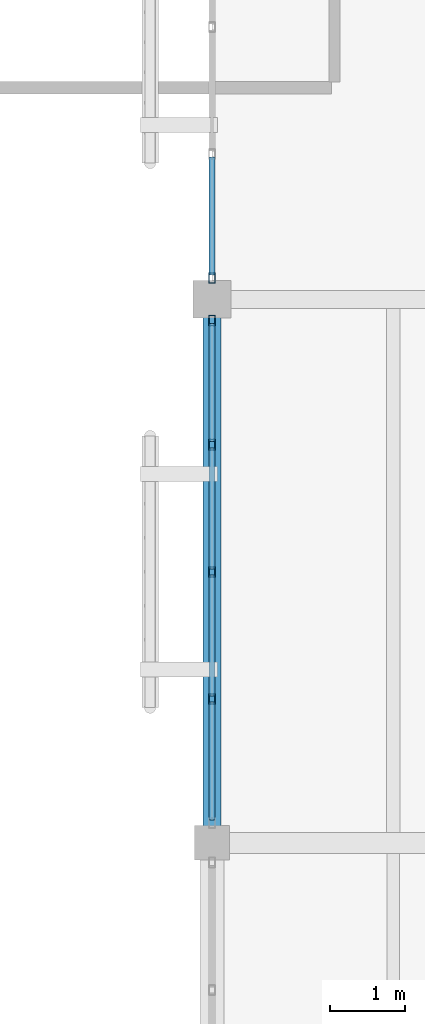
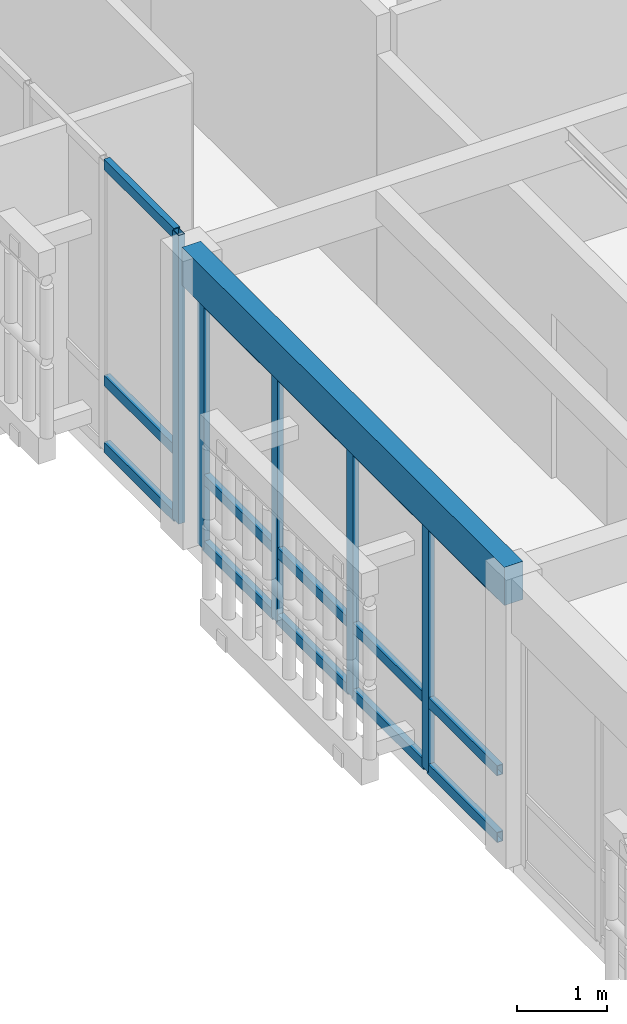
# One storey, part 24 of 61: 20 members, 1 beam, 2 elements without a shape of their own.
"""IFC4 building model written with IfcOpenShell, lengths in metres."""

from ifc_helpers import new_model, si_unit, direction, frame, origin, origin_2d, place, context, subcontext, project, spatial, rectangle, hollow_rectangle, extrude, material, layer, layer_set, material_profile, profile_set, type_object, element, aggregate, save


model = new_model("IFC4")

# Units and contexts
model_context = context("Model", 3, precision=1e-05, world=origin(), true_north=direction((0.0, 1.0)))
body_context = subcontext(model_context, "Body", "Model", "MODEL_VIEW")
ifc_project = project(units=[si_unit("LENGTHUNIT", "METRE"), si_unit("AREAUNIT", "SQUARE_METRE"), si_unit("VOLUMEUNIT", "CUBIC_METRE"), si_unit("PLANEANGLEUNIT", "RADIAN"), si_unit("MASSUNIT", "GRAM", prefix="KILO")], contexts=[model_context])

# Site, building, storey
site_placement = place(None, origin())
site = spatial("IfcSite", under=ifc_project, at=site_placement, CompositionType="ELEMENT")
building_placement = place(site_placement, origin())
building = spatial("IfcBuilding", under=site, at=building_placement, Name="Mazaris Harbour Polytechnic", CompositionType="ELEMENT")
storey_placement = place(building_placement, frame((0.0, 0.0, 18.0)))
storey = spatial("IfcBuildingStorey", under=building, at=storey_placement, Name="L04", CompositionType="ELEMENT", Elevation=18.0)

# Curtain wall, members
ifc_material_1 = material(Name="Anodised Bronze Aluminium and Low-E Glass", Category="aluminium")
ifc_layer = layer(ifc_material_1, 0.159912109375, Name="Anodised Bronze Aluminium and Low-E Glass")
ifc_layer_set = layer_set([ifc_layer], Name="Anodised Bronze Aluminium and Low-E Glass")
curtain_wall_type = type_object("IfcCurtainWallType", Name="Cloister Court Curtain Wall", PredefinedType="NOTDEFINED", material=ifc_layer_set)
curtain_wall_1_placement = place(storey_placement, origin())
curtain_wall_1 = element("IfcCurtainWall", 1, at=curtain_wall_1_placement, inside=storey, type_object=curtain_wall_type, Name="V4 L04 Curtain Wall 177", PredefinedType="NOTDEFINED")
ifc_material_2 = material(Name="Anodised Bronze Steel S355", Category="steel")
ifc_material_profile_1 = material_profile(ifc_material_2, hollow_rectangle(XDim=0.080078125, YDim=0.139892578125, WallThickness=0.00634765625, at=origin_2d()), Name="RHS 80x140x6.3")
ifc_profile_set_1 = profile_set([ifc_material_profile_1], Name="Anodised Bronze Steel S355")
member_type_1 = type_object("IfcMemberType", Name="Curtain Mullion RHS80x140", PredefinedType="MULLION", material=ifc_profile_set_1)
member_1_placement = place(storey_placement, frame((28.800048828125, 60.91796875, 0.0), z_axis=(0.0, 0.0, 1.0), x_axis=(1.0, 0.0, 0.0)))
member_1 = element("IfcMember", 2, at=member_1_placement, type_object=member_type_1, Name="CW-02 mullion 1", PredefinedType="MULLION", context=body_context, shape_type="SweptSolid", body=[
    extrude(hollow_rectangle(XDim=0.080078125, YDim=0.139892578125, WallThickness=0.00634765625, at=origin_2d()), origin(), (0.0, 0.0, 1.0), 3.405029296875),
])
member_2_placement = place(storey_placement, frame((28.800048828125, 59.27392578125, 0.0), z_axis=(0.0, 0.0, 1.0), x_axis=(1.0, 0.0, 0.0)))
member_2 = element("IfcMember", 3, at=member_2_placement, type_object=member_type_1, Name="CW-02 mullion 2", PredefinedType="MULLION", context=body_context, shape_type="SweptSolid", body=[
    extrude(hollow_rectangle(XDim=0.080078125, YDim=0.139892578125, WallThickness=0.00634765625, at=origin_2d()), origin(), (0.0, 0.0, 1.0), 3.405029296875),
])
member_3_placement = place(storey_placement, frame((28.800048828125, 57.590087890625, 0.0), z_axis=(0.0, 0.0, 1.0), x_axis=(1.0, 0.0, 0.0)))
member_3 = element("IfcMember", 4, at=member_3_placement, type_object=member_type_1, Name="CW-02 mullion 3", PredefinedType="MULLION", context=body_context, shape_type="SweptSolid", body=[
    extrude(hollow_rectangle(XDim=0.080078125, YDim=0.139892578125, WallThickness=0.00634765625, at=origin_2d()), origin(), (0.0, 0.0, 1.0), 3.405029296875),
])
member_4_placement = place(storey_placement, frame((28.800048828125, 55.906005859375, 0.0), z_axis=(0.0, 0.0, 1.0), x_axis=(1.0, 0.0, 0.0)))
member_4 = element("IfcMember", 5, at=member_4_placement, type_object=member_type_1, Name="CW-02 mullion 4", PredefinedType="MULLION", context=body_context, shape_type="SweptSolid", body=[
    extrude(hollow_rectangle(XDim=0.080078125, YDim=0.139892578125, WallThickness=0.00634765625, at=origin_2d()), origin(), (0.0, 0.0, 1.0), 3.405029296875),
])

# Curtain wall, member
curtain_wall_2_placement = place(storey_placement, origin())
curtain_wall_2 = element("IfcCurtainWall", 6, at=curtain_wall_2_placement, inside=storey, type_object=curtain_wall_type, Name="V4 L04 Curtain Wall 178", PredefinedType="NOTDEFINED")
member_5_placement = place(storey_placement, frame((28.800048828125, 61.48193359375, 0.0), z_axis=(0.0, 0.0, 1.0), x_axis=(1.0, 0.0, 0.0)))
member_5 = element("IfcMember", 7, at=member_5_placement, type_object=member_type_1, Name="CW-02 mullion 5", PredefinedType="MULLION", context=body_context, shape_type="SweptSolid", body=[
    extrude(hollow_rectangle(XDim=0.080078125, YDim=0.139892578125, WallThickness=0.00634765625, at=origin_2d()), origin(), (0.0, 0.0, 1.0), 3.93505859375),
])

# Member
ifc_material_3 = material(Name="Anodised Bronze Steel S355", Category="steel")
ifc_material_profile_2 = material_profile(ifc_material_3, hollow_rectangle(XDim=0.080078125, YDim=0.139892578125, WallThickness=0.00634765625, at=origin_2d()), Name="RHS 80x140x6.3")
ifc_profile_set_2 = profile_set([ifc_material_profile_2], Name="Anodised Bronze Steel S355")
member_type_2 = type_object("IfcMemberType", Name="Curtain Transom RHS80x140", PredefinedType="USERDEFINED", material=ifc_profile_set_2)
member_6_placement = place(storey_placement, frame((28.800048828125, 60.8779296875, 0.0400390625), z_axis=(0.0, -1.0, 0.0), x_axis=(1.0, 0.0, 0.0)))
member_6 = element("IfcMember", 8, at=member_6_placement, type_object=member_type_2, Name="CW-02 transom 1.1", ObjectType="TRANSOM", PredefinedType="USERDEFINED", context=body_context, shape_type="SweptSolid", body=[
    extrude(hollow_rectangle(XDim=0.080078125, YDim=0.139892578125, WallThickness=0.00634765625, at=origin_2d()), origin(), (0.0, 0.0, 1.0), 1.56396484375),
])

member_7_placement = place(storey_placement, frame((28.800048828125, 60.8779296875, 0.949951171875), z_axis=(0.0, -1.0, 0.0), x_axis=(1.0, 0.0, 0.0)))
member_7 = element("IfcMember", 9, at=member_7_placement, type_object=member_type_2, Name="CW-02 transom 1.2", ObjectType="TRANSOM", PredefinedType="USERDEFINED", context=body_context, shape_type="SweptSolid", body=[
    extrude(hollow_rectangle(XDim=0.080078125, YDim=0.139892578125, WallThickness=0.00634765625, at=origin_2d()), origin(), (0.0, 0.0, 1.0), 1.56396484375),
])

member_8_placement = place(storey_placement, frame((28.800048828125, 60.8779296875, 3.364990234375), z_axis=(0.0, -1.0, 0.0), x_axis=(1.0, 0.0, 0.0)))
member_8 = element("IfcMember", 10, at=member_8_placement, type_object=member_type_2, Name="CW-02 transom 1.3", ObjectType="TRANSOM", PredefinedType="USERDEFINED", context=body_context, shape_type="SweptSolid", body=[
    extrude(hollow_rectangle(XDim=0.080078125, YDim=0.139892578125, WallThickness=0.00634765625, at=origin_2d()), origin(), (0.0, 0.0, 1.0), 1.56396484375),
])

member_9_placement = place(storey_placement, frame((28.800048828125, 59.23388671875, 0.0400390625), z_axis=(0.0, -1.0, 0.0), x_axis=(1.0, 0.0, 0.0)))
member_9 = element("IfcMember", 11, at=member_9_placement, type_object=member_type_2, Name="CW-02 transom 2.1", ObjectType="TRANSOM", PredefinedType="USERDEFINED", context=body_context, shape_type="SweptSolid", body=[
    extrude(hollow_rectangle(XDim=0.080078125, YDim=0.139892578125, WallThickness=0.00634765625, at=origin_2d()), origin(), (0.0, 0.0, 1.0), 1.60400390625),
])

member_10_placement = place(storey_placement, frame((28.800048828125, 59.23388671875, 0.949951171875), z_axis=(0.0, -1.0, 0.0), x_axis=(1.0, 0.0, 0.0)))
member_10 = element("IfcMember", 12, at=member_10_placement, type_object=member_type_2, Name="CW-02 transom 2.2", ObjectType="TRANSOM", PredefinedType="USERDEFINED", context=body_context, shape_type="SweptSolid", body=[
    extrude(hollow_rectangle(XDim=0.080078125, YDim=0.139892578125, WallThickness=0.00634765625, at=origin_2d()), origin(), (0.0, 0.0, 1.0), 1.60400390625),
])

member_11_placement = place(storey_placement, frame((28.800048828125, 59.23388671875, 3.364990234375), z_axis=(0.0, -1.0, 0.0), x_axis=(1.0, 0.0, 0.0)))
member_11 = element("IfcMember", 13, at=member_11_placement, type_object=member_type_2, Name="CW-02 transom 2.3", ObjectType="TRANSOM", PredefinedType="USERDEFINED", context=body_context, shape_type="SweptSolid", body=[
    extrude(hollow_rectangle(XDim=0.080078125, YDim=0.139892578125, WallThickness=0.00634765625, at=origin_2d()), origin(), (0.0, 0.0, 1.0), 1.60400390625),
])

member_12_placement = place(storey_placement, frame((28.800048828125, 57.550048828125, 0.0400390625), z_axis=(0.0, -1.0, 0.0), x_axis=(1.0, 0.0, 0.0)))
member_12 = element("IfcMember", 14, at=member_12_placement, type_object=member_type_2, Name="CW-02 transom 3.1", ObjectType="TRANSOM", PredefinedType="USERDEFINED", context=body_context, shape_type="SweptSolid", body=[
    extrude(hollow_rectangle(XDim=0.080078125, YDim=0.139892578125, WallThickness=0.00634765625, at=origin_2d()), origin(), (0.0, 0.0, 1.0), 1.60400390625),
])

member_13_placement = place(storey_placement, frame((28.800048828125, 57.550048828125, 0.949951171875), z_axis=(0.0, -1.0, 0.0), x_axis=(1.0, 0.0, 0.0)))
member_13 = element("IfcMember", 15, at=member_13_placement, type_object=member_type_2, Name="CW-02 transom 3.2", ObjectType="TRANSOM", PredefinedType="USERDEFINED", context=body_context, shape_type="SweptSolid", body=[
    extrude(hollow_rectangle(XDim=0.080078125, YDim=0.139892578125, WallThickness=0.00634765625, at=origin_2d()), origin(), (0.0, 0.0, 1.0), 1.60400390625),
])

member_14_placement = place(storey_placement, frame((28.800048828125, 57.550048828125, 3.364990234375), z_axis=(0.0, -1.0, 0.0), x_axis=(1.0, 0.0, 0.0)))
member_14 = element("IfcMember", 16, at=member_14_placement, type_object=member_type_2, Name="CW-02 transom 3.3", ObjectType="TRANSOM", PredefinedType="USERDEFINED", context=body_context, shape_type="SweptSolid", body=[
    extrude(hollow_rectangle(XDim=0.080078125, YDim=0.139892578125, WallThickness=0.00634765625, at=origin_2d()), origin(), (0.0, 0.0, 1.0), 1.60400390625),
])

member_15_placement = place(storey_placement, frame((28.800048828125, 55.865966796875, 0.0400390625), z_axis=(0.0, -1.0, 0.0), x_axis=(1.0, 0.0, 0.0)))
member_15 = element("IfcMember", 17, at=member_15_placement, type_object=member_type_2, Name="CW-02 transom 4.1", ObjectType="TRANSOM", PredefinedType="USERDEFINED", context=body_context, shape_type="SweptSolid", body=[
    extrude(hollow_rectangle(XDim=0.080078125, YDim=0.139892578125, WallThickness=0.00634765625, at=origin_2d()), origin(), (0.0, 0.0, 1.0), 1.56396484375),
])

member_16_placement = place(storey_placement, frame((28.800048828125, 55.865966796875, 0.949951171875), z_axis=(0.0, -1.0, 0.0), x_axis=(1.0, 0.0, 0.0)))
member_16 = element("IfcMember", 18, at=member_16_placement, type_object=member_type_2, Name="CW-02 transom 4.2", ObjectType="TRANSOM", PredefinedType="USERDEFINED", context=body_context, shape_type="SweptSolid", body=[
    extrude(hollow_rectangle(XDim=0.080078125, YDim=0.139892578125, WallThickness=0.00634765625, at=origin_2d()), origin(), (0.0, 0.0, 1.0), 1.56396484375),
])

member_17_placement = place(storey_placement, frame((28.800048828125, 55.865966796875, 3.364990234375), z_axis=(0.0, -1.0, 0.0), x_axis=(1.0, 0.0, 0.0)))
member_17 = element("IfcMember", 19, at=member_17_placement, type_object=member_type_2, Name="CW-02 transom 4.3", ObjectType="TRANSOM", PredefinedType="USERDEFINED", context=body_context, shape_type="SweptSolid", body=[
    extrude(hollow_rectangle(XDim=0.080078125, YDim=0.139892578125, WallThickness=0.00634765625, at=origin_2d()), origin(), (0.0, 0.0, 1.0), 1.56396484375),
])

aggregate(curtain_wall_1, [member_1, member_2, member_3, member_4, member_6, member_7, member_8, member_9, member_10, member_11, member_12, member_13, member_14, member_15, member_16, member_17])

member_18_placement = place(storey_placement, frame((28.800048828125, 63.08349609375, 0.0400390625), z_axis=(0.0, -1.0, 0.0), x_axis=(1.0, 0.0, 0.0)))
member_18 = element("IfcMember", 20, at=member_18_placement, type_object=member_type_2, Name="CW-02 transom 4.1", ObjectType="TRANSOM", PredefinedType="USERDEFINED", context=body_context, shape_type="SweptSolid", body=[
    extrude(hollow_rectangle(XDim=0.080078125, YDim=0.139892578125, WallThickness=0.00634765625, at=origin_2d()), origin(), (0.0, 0.0, 1.0), 1.5615234375),
])

member_19_placement = place(storey_placement, frame((28.800048828125, 63.08349609375, 0.949951171875), z_axis=(0.0, -1.0, 0.0), x_axis=(1.0, 0.0, 0.0)))
member_19 = element("IfcMember", 21, at=member_19_placement, type_object=member_type_2, Name="CW-02 transom 4.2", ObjectType="TRANSOM", PredefinedType="USERDEFINED", context=body_context, shape_type="SweptSolid", body=[
    extrude(hollow_rectangle(XDim=0.080078125, YDim=0.139892578125, WallThickness=0.00634765625, at=origin_2d()), origin(), (0.0, 0.0, 1.0), 1.5615234375),
])

member_20_placement = place(storey_placement, frame((28.800048828125, 63.08349609375, 3.89501953125), z_axis=(0.0, -1.0, 0.0), x_axis=(1.0, 0.0, 0.0)))
member_20 = element("IfcMember", 22, at=member_20_placement, type_object=member_type_2, Name="CW-02 transom 4.3", ObjectType="TRANSOM", PredefinedType="USERDEFINED", context=body_context, shape_type="SweptSolid", body=[
    extrude(hollow_rectangle(XDim=0.080078125, YDim=0.139892578125, WallThickness=0.00634765625, at=origin_2d()), origin(), (0.0, 0.0, 1.0), 1.5615234375),
])

aggregate(curtain_wall_2, [member_5, member_18, member_19, member_20])

# Beam
ifc_material_4 = material(Name="Glulam GL32h", Category="wood")
ifc_material_profile_3 = material_profile(ifc_material_4, rectangle(XDim=0.239990234375, YDim=0.52001953125, at=origin_2d()), Name="RECT240x520")
ifc_profile_set_3 = profile_set([ifc_material_profile_3], Name="Glulam GL32h")
beam_type = type_object("IfcBeamType", Name="Glulam Girder 240x520", PredefinedType="BEAM", material=ifc_profile_set_3)
beam_placement = place(storey_placement, frame((28.800048828125, 54.0, 3.675048828125), z_axis=(0.0, 1.0, 0.0), x_axis=(-1.0, 0.0, 0.0)))
element("IfcBeam", 23, at=beam_placement, inside=storey, type_object=beam_type, Name="V4 L04 Tie Girder 2425", PredefinedType="BEAM", context=body_context, shape_type="SweptSolid", body=[
    extrude(rectangle(XDim=0.239990234375, YDim=0.52001953125, at=origin_2d()), origin(), (0.0, 0.0, 1.0), 7.199951171875),
])

save(model, "model.ifc")
